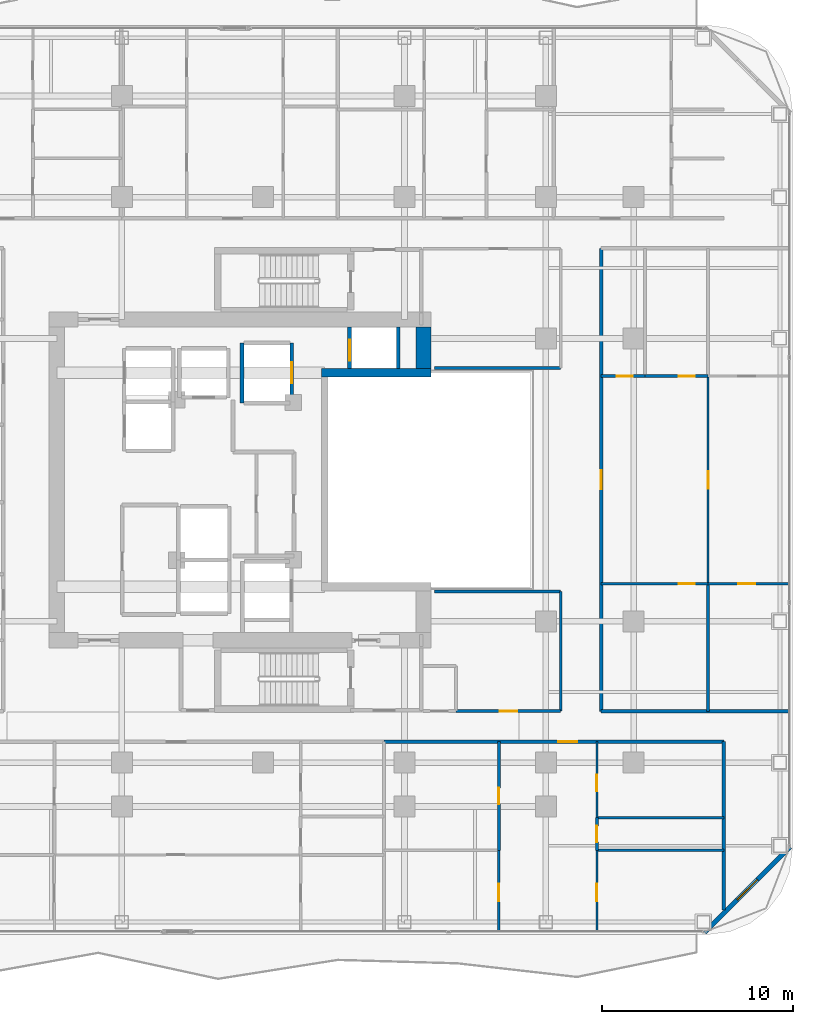
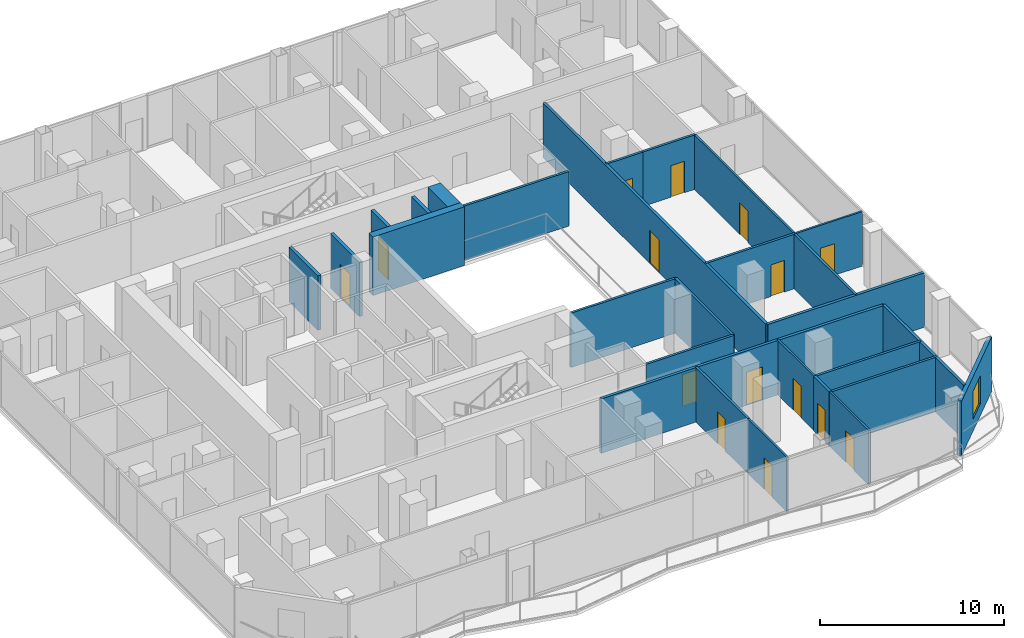
# One storey, part 22 of 27: 28 walls, 15 doors, 1 window, 16 openings.
"""IFC4 building model written with IfcOpenShell, lengths in metres."""

import ifcopenshell
import ifcopenshell.guid

model = None  # the IFC model being written
_history = None  # IfcOwnerHistory: only IFC2X3 demands one
_inside = {}  # id of a spatial element -> (the spatial element, [elements in it])
_under = {}  # id of a project, library or spatial element -> (it, [spatial elements below it])
_declared = {}  # id of a project -> (the project, [libraries it declares])
_typed = {}  # id of a type object -> (the type object, [elements of that type])
_made_of = {}  # id of a material, layer set ... -> (it, [elements and type objects made of it])


def new_model(schema):
    """Start an empty IFC model of exactly this schema.

    Asked for "IFC4X3", IfcOpenShell would pick the latest addendum, in which some entities
    have other attributes; the version numbers below select the first issue.
    IFC2X3 requires an IfcOwnerHistory on every rooted entity: one is made here for all.
    """
    global model, _history
    if schema == "IFC4X3":
        model = ifcopenshell.file(schema_version=(4, 3, 0, 0))
    else:
        model = ifcopenshell.file(schema=schema)
    _inside.clear()
    _under.clear()
    _declared.clear()
    _typed.clear()
    _made_of.clear()
    _history = None
    if model.schema == "IFC2X3":
        org = make("IfcOrganization", Name="unknown")
        user = make(
            "IfcPersonAndOrganization",
            ThePerson=make("IfcPerson", FamilyName="unknown"),
            TheOrganization=org,
        )
        app = make(
            "IfcApplication",
            ApplicationDeveloper=org,
            Version="unknown",
            ApplicationFullName="unknown",
            ApplicationIdentifier="unknown",
        )
        _history = make(
            "IfcOwnerHistory",
            OwningUser=user,
            OwningApplication=app,
            ChangeAction="ADDED",
            CreationDate=0,
        )
    return model


def make(cls, **values):
    """One entity of the class cls with the attributes given. An attribute that is None is left unset."""
    return model.create_entity(
        cls, **{name: value for name, value in values.items() if value is not None}
    )


def rooted(cls, **values):
    """An entity with a GlobalId (a new one), such as an element, a storey or a relation."""
    return make(cls, GlobalId=ifcopenshell.guid.new(), OwnerHistory=_history, **values)


def si_unit(unit_type, name, prefix=None):
    """IfcSIUnit, for example si_unit("LENGTHUNIT", "METRE", prefix="MILLI")."""
    return make("IfcSIUnit", UnitType=unit_type, Prefix=prefix, Name=name)


def assignment(units):
    """IfcUnitAssignment: the units of a project."""
    return None if units is None else make("IfcUnitAssignment", Units=units)


def point(xyz):
    """IfcCartesianPoint."""
    return None if xyz is None else make("IfcCartesianPoint", Coordinates=xyz)


def direction(xyz):
    """IfcDirection."""
    return None if xyz is None else make("IfcDirection", DirectionRatios=xyz)


def frame(location, z_axis=None, x_axis=None):
    """IfcAxis2Placement3D, a coordinate frame: its origin and axes. An axis left out is left unset."""
    return make(
        "IfcAxis2Placement3D",
        Location=point(location),
        Axis=direction(z_axis),
        RefDirection=direction(x_axis),
    )


def frame_2d(location, x_axis=None):
    """IfcAxis2Placement2D, a coordinate frame in the plane: its origin and x axis."""
    return make(
        "IfcAxis2Placement2D", Location=point(location), RefDirection=direction(x_axis)
    )


def origin():
    """The frame at (0, 0, 0) with its axes left unset."""
    return frame((0.0, 0.0, 0.0))


def place(relative_to, where):
    """IfcLocalPlacement: puts the frame where relative to a parent placement (None: the world)."""
    return make(
        "IfcLocalPlacement", PlacementRelTo=relative_to, RelativePlacement=where
    )


def context(
    kind, dimensions, precision=None, world=None, true_north=None, identifier=None
):
    """IfcGeometricRepresentationContext, for example the 3D "Model" context."""
    return make(
        "IfcGeometricRepresentationContext",
        ContextIdentifier=identifier,
        ContextType=kind,
        CoordinateSpaceDimension=dimensions,
        Precision=precision,
        WorldCoordinateSystem=world,
        TrueNorth=true_north,
    )


def subcontext(parent, identifier, kind, view, scale=None):
    """IfcGeometricRepresentationSubContext, for example "Body" below "Model"."""
    return make(
        "IfcGeometricRepresentationSubContext",
        ContextIdentifier=identifier,
        ContextType=kind,
        ParentContext=parent,
        TargetScale=scale,
        TargetView=view,
    )


def project(units=None, contexts=None):
    """IfcProject with its units and contexts."""
    return rooted(
        "IfcProject",
        Name="project",
        RepresentationContexts=contexts,
        UnitsInContext=assignment(units),
    )


def spatial(cls, under=None, at=None, **own):
    """A site, building, storey or space (cls), placed at a placement, below another one or the project."""
    s = rooted(cls, ObjectPlacement=at, **own)
    if under is not None:
        _under.setdefault(under.id(), (under, []))[1].append(s)
    return s


def profile(cls, at=None, kind="AREA", **sizes):
    """A parametric profile (cls). Its sizes go by their IFC names, for example OverallWidth=200.0."""
    return make(cls, ProfileType=kind, Position=at, **sizes)


def rectangle(**sizes):
    """IfcRectangleProfileDef."""
    return profile("IfcRectangleProfileDef", **sizes)


def extrude(swept, where, along, depth):
    """IfcExtrudedAreaSolid: the profile swept, set in the frame where, extruded along a direction by depth."""
    return make(
        "IfcExtrudedAreaSolid",
        SweptArea=swept,
        Position=where,
        ExtrudedDirection=direction(along),
        Depth=depth,
    )


def shape(context_of_items, identifier, shape_type, items):
    """IfcShapeRepresentation: the items that make up one representation, for example the "Body"."""
    return make(
        "IfcShapeRepresentation",
        ContextOfItems=context_of_items,
        RepresentationIdentifier=identifier,
        RepresentationType=shape_type,
        Items=items,
    )


def material(Name=None, Category=None):
    """IfcMaterial."""
    return make("IfcMaterial", Name=Name, Category=Category)


def layer(
    of_material, thickness, ventilated=None, Name=None, Category=None, Priority=None
):
    """IfcMaterialLayer: one layer of a wall or slab, of a material (None: an air gap)."""
    return make(
        "IfcMaterialLayer",
        Material=of_material,
        LayerThickness=thickness,
        IsVentilated=ventilated,
        Name=Name,
        Category=Category,
        Priority=Priority,
    )


def layer_set(layers, Name=None):
    """IfcMaterialLayerSet."""
    return make("IfcMaterialLayerSet", MaterialLayers=layers, LayerSetName=Name)


def made_of(thing, what):
    """Note that an element or type object is made of a material, layer set ...; save() writes the relation."""
    if what is not None:
        _made_of.setdefault(what.id(), (what, []))[1].append(thing)
    return thing


def type_object(cls, material=None, **own):
    """A type object (cls), such as IfcWallType, which elements share."""
    return made_of(rooted(cls, **own), material)


def element(
    cls,
    number,
    at=None,
    inside=None,
    cuts=None,
    type_object=None,
    material=None,
    context=None,
    identifier="Body",
    shape_type=None,
    held_by="IfcProductDefinitionShape",
    body=None,
    shapes=None,
    **own,
):
    """One element of the class cls, such as IfcWall. Its Tag is "e" and its number.

    at: its placement. inside: the storey or other place that contains it. cuts: it is an
    opening in that element (IfcRelVoidsElement). A single representation is given by context,
    identifier, shape_type and body (its items); several are given by shapes. held_by: the class
    of the entity that holds the representations. save() writes the other relations.
    """
    e = rooted(cls, Tag="e%d" % number, ObjectPlacement=at, **own)
    if body is not None:
        shapes = [shape(context, identifier, shape_type, body)]
    if shapes is not None:
        e.Representation = make(held_by, Representations=shapes)
    if inside is not None:
        _inside.setdefault(inside.id(), (inside, []))[1].append(e)
    if cuts is not None:
        rooted(
            "IfcRelVoidsElement", RelatingBuildingElement=cuts, RelatedOpeningElement=e
        )
    if type_object is not None:
        _typed.setdefault(type_object.id(), (type_object, []))[1].append(e)
    return made_of(e, material)


def fill(opening, filler):
    """IfcRelFillsElement: the door or window that sits in an opening."""
    return rooted(
        "IfcRelFillsElement",
        RelatingOpeningElement=opening,
        RelatedBuildingElement=filler,
    )


def aggregate(whole, parts):
    """IfcRelAggregates: a whole, such as a stair, and the parts it consists of."""
    return rooted("IfcRelAggregates", RelatingObject=whole, RelatedObjects=parts)


def save(model, path):
    """Write the relations noted so far, then the file.

    IfcRelAggregates (storeys below a building ...), IfcRelContainedInSpatialStructure (elements
    in a storey), IfcRelDefinesByType, IfcRelAssociatesMaterial and IfcRelDeclares: one each for
    every whole, place, type object, material and project.
    """
    for whole, parts in _under.values():
        aggregate(whole, parts)
    for where, things in _inside.values():
        rooted(
            "IfcRelContainedInSpatialStructure",
            RelatedElements=things,
            RelatingStructure=where,
        )
    for kind, things in _typed.values():
        rooted("IfcRelDefinesByType", RelatedObjects=things, RelatingType=kind)
    for what, things in _made_of.values():
        rooted("IfcRelAssociatesMaterial", RelatedObjects=things, RelatingMaterial=what)
    for by, libraries in _declared.values():
        rooted("IfcRelDeclares", RelatingContext=by, RelatedDefinitions=libraries)
    model.write(path)


model = new_model("IFC4")

# Units and contexts
model_context = context("Model", 3, precision=1e-05, world=origin(), true_north=direction((0.0, 1.0)))
body_context = subcontext(model_context, "Body", "Model", "MODEL_VIEW")
ifc_project = project(units=[si_unit("LENGTHUNIT", "METRE"), si_unit("AREAUNIT", "SQUARE_METRE"), si_unit("VOLUMEUNIT", "CUBIC_METRE"), si_unit("PLANEANGLEUNIT", "RADIAN"), si_unit("MASSUNIT", "GRAM", prefix="KILO")], contexts=[model_context])

# Site, building, storey
site_placement = place(None, origin())
site = spatial("IfcSite", under=ifc_project, at=site_placement, CompositionType="ELEMENT")
building_placement = place(site_placement, origin())
building = spatial("IfcBuilding", under=site, at=building_placement, Name="Khorvyn Point Tower", CompositionType="ELEMENT")
storey_placement = place(building_placement, frame((0.0, 0.0, 164.10009765625)))
storey = spatial("IfcBuildingStorey", under=building, at=storey_placement, Name="L40", CompositionType="ELEMENT", Elevation=164.10009765625)

# Wall, opening, door
ifc_material_1 = material(Name="Double acoustic gypsum on twin steel stud", Category="steel")
ifc_layer_1 = layer(ifc_material_1, 0.179931640625)
ifc_layer_set_1 = layer_set([ifc_layer_1], Name="Acoustic Double-Stud Apartment Demising Wall 180")
wall_type_1 = type_object("IfcWallType", Name="Acoustic Double-Stud Apartment Demising Wall 180", PredefinedType="PARTITIONING", material=ifc_layer_set_1)
wall_1_placement = place(storey_placement, frame((6.325927734375, -13.699951171875, 0.0), z_axis=(0.0, 0.0, 1.0), x_axis=(1.0, 0.0, 0.0)))
wall_1 = element("IfcWall", 1, at=wall_1_placement, inside=storey, type_object=wall_type_1, Name="Wall", PredefinedType="PARTITIONING", context=body_context, shape_type="SweptSolid", body=[
    extrude(rectangle(XDim=17.794189453125, YDim=0.179931640625, at=frame_2d((8.89697265625, 0.0))), origin(), (0.0, 0.0, 1.0), 3.619873046875),
])
opening_1_placement = place(wall_1_placement, frame((9.11328125, 0.0, 0.0)))
opening_1 = element("IfcOpeningElement", 2, at=opening_1_placement, cuts=wall_1, Name="Opening ID-AP60", PredefinedType="OPENING", context=body_context, shape_type="SweptSolid", body=[
    extrude(rectangle(XDim=1.0, YDim=2.199951171875, at=frame_2d((0.5, 1.10009765625))), frame((0.0, 0.099853515625, 0.0), z_axis=(0.0, -1.0, 0.0), x_axis=(1.0, 0.0, 0.0)), (0.0, 0.0, 1.0), 0.199951171875),
])
ifc_material_2 = material(Name="Engineered hardwood fire-rated leaf", Category="wood")
door_type_1 = type_object("IfcDoorType", Name="Acoustic Solid-Core Timber Apartment Entrance Door 1000x2200", OperationType="NOTDEFINED", PredefinedType="DOOR", material=ifc_material_2)
door_1_placement = place(opening_1_placement, origin())
door_1 = element("IfcDoor", 3, at=door_1_placement, inside=storey, type_object=door_type_1, Name="Door", OperationType="SINGLE_SWING_RIGHT", OverallHeight=2.199951171875, OverallWidth=1.0, PredefinedType="DOOR", context=body_context, shape_type="SweptSolid", body=[
    extrude(rectangle(XDim=1.0, YDim=2.199951171875, at=frame_2d((0.5, 1.10009765625))), frame((0.0, 0.02490234375, 0.0), z_axis=(0.0, -1.0, 0.0), x_axis=(1.0, 0.0, 0.0)), (0.0, 0.0, 1.0), 0.050048828125),
])
fill(opening_1, door_1)

wall_2_placement = place(storey_placement, frame((17.699951171875, -12.1201171875, 0.0), z_axis=(0.0, 0.0, 1.0), x_axis=(0.0, 1.0, 0.0)))
wall_2 = element("IfcWall", 4, at=wall_2_placement, inside=storey, type_object=wall_type_1, Name="Wall", PredefinedType="PARTITIONING", context=body_context, shape_type="SweptSolid", body=[
    extrude(rectangle(XDim=24.240234375, YDim=0.179931640625, at=frame_2d((12.1201171875, 0.0))), origin(), (0.0, 0.0, 1.0), 3.619873046875),
])
opening_2_placement = place(wall_2_placement, frame((11.6201171875, 0.0, 0.0)))
opening_2 = element("IfcOpeningElement", 5, at=opening_2_placement, cuts=wall_2, Name="Opening ID-AP60", PredefinedType="OPENING", context=body_context, shape_type="SweptSolid", body=[
    extrude(rectangle(XDim=1.0, YDim=2.199951171875, at=frame_2d((0.5, 1.10009765625))), frame((0.0, 0.099853515625, 0.0), z_axis=(0.0, -1.0, 0.0), x_axis=(1.0, 0.0, 0.0)), (0.0, 0.0, 1.0), 0.199951171875),
])
door_2_placement = place(opening_2_placement, origin())
door_2 = element("IfcDoor", 6, at=door_2_placement, inside=storey, type_object=door_type_1, Name="Door", OperationType="SINGLE_SWING_RIGHT", OverallHeight=2.199951171875, OverallWidth=1.0, PredefinedType="DOOR", context=body_context, shape_type="SweptSolid", body=[
    extrude(rectangle(XDim=1.0, YDim=2.199951171875, at=frame_2d((0.5, 1.10009765625))), frame((0.0, 0.02490234375, 0.0), z_axis=(0.0, -1.0, 0.0), x_axis=(1.0, 0.0, 0.0)), (0.0, 0.0, 1.0), 0.050048828125),
])
fill(opening_2, door_2)

# Walls
wall_3_placement = place(storey_placement, frame((24.1201171875, -22.510009765625, 0.0), z_axis=(0.0, 0.0, 1.0), x_axis=(0.0, 1.0, 0.0)))
element("IfcWall", 7, at=wall_3_placement, inside=storey, type_object=wall_type_1, Name="Wall", PredefinedType="PARTITIONING", context=body_context, shape_type="SweptSolid", body=[
    extrude(rectangle(XDim=8.81005859375, YDim=0.179931640625, at=frame_2d((4.405029296875, 0.0))), origin(), (0.0, 0.0, 1.0), 3.619873046875),
])
wall_4_placement = place(storey_placement, frame((17.699951171875, -12.1201171875, 0.0), z_axis=(0.0, 0.0, 1.0), x_axis=(1.0, 0.0, 0.0)))
element("IfcWall", 8, at=wall_4_placement, inside=storey, type_object=wall_type_1, Name="Wall", PredefinedType="PARTITIONING", context=body_context, shape_type="SweptSolid", body=[
    extrude(rectangle(XDim=9.830078125, YDim=0.179931640625, at=frame_2d((4.9150390625, 0.0))), origin(), (0.0, 0.0, 1.0), 3.619873046875),
])

# Wall, opening, window
ifc_material_3 = material(Name="Pale anodised aluminium rainscreen on steel stud", Category="steel")
ifc_layer_2 = layer(ifc_material_3, 0.239990234375)
ifc_layer_set_2 = layer_set([ifc_layer_2], Name="Anodised Aluminium Insulated Corner Spandrel Wall 240")
wall_type_2 = type_object("IfcWallType", Name="Anodised Aluminium Insulated Corner Spandrel Wall 240", PredefinedType="SOLIDWALL", material=ifc_layer_set_2)
wall_5_placement = place(storey_placement, frame((27.59228515625, -19.20751953125, 0.0), z_axis=(0.0, 0.0, 1.0), x_axis=(-0.707087534163, -0.707126027686, 0.0)))
wall_5 = element("IfcWall", 9, at=wall_5_placement, inside=storey, type_object=wall_type_2, Name="L40 Rounded Corner Wall SE", PredefinedType="SOLIDWALL", context=body_context, shape_type="SweptSolid", body=[
    extrude(rectangle(XDim=6.34228515625, YDim=0.239990234375, at=frame_2d((3.171142578125, 0.0))), origin(), (0.0, 0.0, 1.0), 3.619873046875),
])
opening_3_placement = place(wall_5_placement, frame((2.42138671875, 0.0, 0.800048828125)))
opening_3 = element("IfcOpeningElement", 10, at=opening_3_placement, cuts=wall_5, Name="Opening WN-1518", PredefinedType="OPENING", context=body_context, shape_type="SweptSolid", body=[
    extrude(rectangle(XDim=1.5, YDim=1.85009765625, at=frame_2d((0.75, 0.925048828125))), frame((0.0, 0.1298828125, 0.0), z_axis=(0.0, -1.0, 0.0), x_axis=(1.0, 0.0, 0.0)), (0.0, 0.0, 1.0), 0.260009765625),
])
ifc_material_4 = material(Name="Anodised aluminium 6063-T6 and laminated Low-E glass", Category="aluminium")
window_type = type_object("IfcWindowType", Name="Anodised Aluminium Rounded-Corner Panoramic Window 1500x1850", PartitioningType="SINGLE_PANEL", PredefinedType="WINDOW", material=ifc_material_4)
window_placement = place(opening_3_placement, origin())
window = element("IfcWindow", 11, at=window_placement, inside=storey, type_object=window_type, Name="L40 Corner Panoramic Window SE", OverallHeight=1.85009765625, OverallWidth=1.5, PartitioningType="SINGLE_PANEL", PredefinedType="WINDOW", context=body_context, shape_type="SweptSolid", body=[
    extrude(rectangle(XDim=1.5, YDim=1.85009765625, at=frame_2d((0.75, 0.925048828125))), frame((0.0, 0.030029296875, 0.0), z_axis=(0.0, -1.0, 0.0), x_axis=(1.0, 0.0, 0.0)), (0.0, 0.0, 1.0), 0.06005859375),
])
fill(opening_3, window)

# Walls
ifc_material_5 = material(Name="Concrete C40/50", Category="concrete")
ifc_layer_3 = layer(ifc_material_5, 0.449951171875)
ifc_layer_set_3 = layer_set([ifc_layer_3], Name="Concrete C40/50 Core Shear Wall 450")
wall_type_3 = type_object("IfcWallType", Name="Concrete C40/50 Core Shear Wall 450", PredefinedType="SHEAR", material=ifc_layer_set_3)
wall_6_placement = place(storey_placement, frame((3.044921875, 5.60009765625, 0.0), z_axis=(0.0, 0.0, 1.0), x_axis=(1.0, 0.0, 0.0)))
element("IfcWall", 12, at=wall_6_placement, inside=storey, type_object=wall_type_3, Name="Wall", PredefinedType="SHEAR", context=body_context, shape_type="SweptSolid", body=[
    extrude(rectangle(XDim=5.755126953125, YDim=0.449951171875, at=frame_2d((2.87744140625, 0.0))), origin(), (0.0, 0.0, 1.0), 3.89990234375),
])
ifc_layer_4 = layer(ifc_material_5, 0.199951171875)
ifc_layer_set_4 = layer_set([ifc_layer_4], Name="Concrete C40/50 Structural Hoistway and Stair Shaft Wall 200")
wall_type_4 = type_object("IfcWallType", Name="Concrete C40/50 Structural Hoistway and Stair Shaft Wall 200", PredefinedType="SHEAR", material=ifc_layer_set_4)
wall_7_placement = place(storey_placement, frame((-1.10009765625, 4.02490234375, 0.0), z_axis=(0.0, 0.0, 1.0), x_axis=(0.0, 1.0, 0.0)))
element("IfcWall", 13, at=wall_7_placement, inside=storey, type_object=wall_type_4, Name="Wall", PredefinedType="SHEAR", context=body_context, shape_type="SweptSolid", body=[
    extrude(rectangle(XDim=3.150146484375, YDim=0.199951171875, at=frame_2d((1.5751953125, 0.0))), origin(), (0.0, 0.0, 1.0), 3.619873046875),
])

# Wall, opening, door
wall_8_placement = place(storey_placement, frame((1.5, 4.02490234375, 0.0), z_axis=(0.0, 0.0, 1.0), x_axis=(0.0, 1.0, 0.0)))
wall_8 = element("IfcWall", 14, at=wall_8_placement, inside=storey, type_object=wall_type_4, Name="Wall", PredefinedType="SHEAR", context=body_context, shape_type="SweptSolid", body=[
    extrude(rectangle(XDim=3.150146484375, YDim=0.199951171875, at=frame_2d((1.5751953125, 0.0))), origin(), (0.0, 0.0, 1.0), 3.619873046875),
])
opening_4_placement = place(wall_8_placement, frame((1.02490234375, 0.0, 0.0)))
opening_4 = element("IfcOpeningElement", 15, at=opening_4_placement, cuts=wall_8, Name="Opening LD-1122", PredefinedType="OPENING", context=body_context, shape_type="SweptSolid", body=[
    extrude(rectangle(XDim=1.10009765625, YDim=2.199951171875, at=frame_2d((0.550048828125, 1.10009765625))), frame((0.0, 0.10986328125, 0.0), z_axis=(0.0, -1.0, 0.0), x_axis=(1.0, 0.0, 0.0)), (0.0, 0.0, 1.0), 0.219970703125),
])
ifc_material_6 = material(Name="Stainless steel 1.4301", Category="steel")
door_type_2 = type_object("IfcDoorType", Name="Stainless Steel Automatic Sliding Lift Landing Door 1100x2200", OperationType="SLIDING_TO_LEFT", PredefinedType="DOOR", material=ifc_material_6)
door_3_placement = place(opening_4_placement, origin())
door_3 = element("IfcDoor", 16, at=door_3_placement, inside=storey, type_object=door_type_2, Name="L40 SV-01 Sliding Lift Landing Door", OperationType="SLIDING_TO_LEFT", OverallHeight=2.199951171875, OverallWidth=1.10009765625, PredefinedType="DOOR", context=body_context, shape_type="SweptSolid", body=[
    extrude(rectangle(XDim=1.10009765625, YDim=2.199951171875, at=frame_2d((0.550048828125, 1.10009765625))), frame((0.0, 0.02490234375, 0.0), z_axis=(0.0, -1.0, 0.0), x_axis=(1.0, 0.0, 0.0)), (0.0, 0.0, 1.0), 0.050048828125),
])
fill(opening_4, door_3)

wall_9_placement = place(storey_placement, frame((4.52490234375, 5.824951171875, 0.0), z_axis=(0.0, 0.0, 1.0), x_axis=(0.0, 1.0, 0.0)))
wall_9 = element("IfcWall", 17, at=wall_9_placement, inside=storey, type_object=wall_type_4, Name="Wall", PredefinedType="SHEAR", context=body_context, shape_type="SweptSolid", body=[
    extrude(rectangle(XDim=2.175048828125, YDim=0.199951171875, at=frame_2d((1.08740234375, 0.0))), origin(), (0.0, 0.0, 1.0), 3.619873046875),
])
opening_5_placement = place(wall_9_placement, frame((0.425048828125, 0.0, 0.0)))
opening_5 = element("IfcOpeningElement", 18, at=opening_5_placement, cuts=wall_9, Name="Opening LD-1122", PredefinedType="OPENING", context=body_context, shape_type="SweptSolid", body=[
    extrude(rectangle(XDim=1.10009765625, YDim=2.199951171875, at=frame_2d((0.550048828125, 1.10009765625))), frame((0.0, 0.10986328125, 0.0), z_axis=(0.0, -1.0, 0.0), x_axis=(1.0, 0.0, 0.0)), (0.0, 0.0, 1.0), 0.219970703125),
])
door_4_placement = place(opening_5_placement, origin())
door_4 = element("IfcDoor", 19, at=door_4_placement, inside=storey, type_object=door_type_2, Name="L40 FF-02 Sliding Lift Landing Door", OperationType="SLIDING_TO_LEFT", OverallHeight=2.199951171875, OverallWidth=1.10009765625, PredefinedType="DOOR", context=body_context, shape_type="SweptSolid", body=[
    extrude(rectangle(XDim=1.10009765625, YDim=2.199951171875, at=frame_2d((0.550048828125, 1.10009765625))), frame((0.0, 0.02490234375, 0.0), z_axis=(0.0, -1.0, 0.0), x_axis=(1.0, 0.0, 0.0)), (0.0, 0.0, 1.0), 0.050048828125),
])
fill(opening_5, door_4)

# Walls
wall_10_placement = place(storey_placement, frame((7.074951171875, 5.824951171875, 0.0), z_axis=(0.0, 0.0, 1.0), x_axis=(0.0, 1.0, 0.0)))
element("IfcWall", 20, at=wall_10_placement, inside=storey, type_object=wall_type_4, Name="Wall", PredefinedType="SHEAR", context=body_context, shape_type="SweptSolid", body=[
    extrude(rectangle(XDim=2.175048828125, YDim=0.199951171875, at=frame_2d((1.08740234375, 0.0))), origin(), (0.0, 0.0, 1.0), 3.619873046875),
])
ifc_material_7 = material(Name="Concrete C45/55", Category="concrete")
ifc_layer_5 = layer(ifc_material_7, 0.800048828125)
ifc_layer_set_5 = layer_set([ifc_layer_5], Name="Concrete C45/55 Core Shear Wall 800")
wall_type_5 = type_object("IfcWallType", Name="Concrete C45/55 Core Shear Wall 800", PredefinedType="SHEAR", material=ifc_layer_set_5)
wall_11_placement = place(storey_placement, frame((8.39990234375, 5.824951171875, 0.0), z_axis=(0.0, 0.0, 1.0), x_axis=(0.0, 1.0, 0.0)))
element("IfcWall", 21, at=wall_11_placement, inside=storey, type_object=wall_type_5, Name="Wall", PredefinedType="SHEAR", context=body_context, shape_type="SweptSolid", body=[
    extrude(rectangle(XDim=2.175048828125, YDim=0.800048828125, at=frame_2d((1.08740234375, 0.0))), origin(), (0.0, 0.0, 1.0), 3.89990234375),
])

# Wall, opening, door
ifc_material_8 = material(Name="Gypsum plasterboard on steel stud", Category="steel")
ifc_layer_6 = layer(ifc_material_8, 0.1201171875)
ifc_layer_set_6 = layer_set([ifc_layer_6], Name="Gypsum Acoustic Stud Room Partition Wall 120")
wall_type_6 = type_object("IfcWallType", Name="Gypsum Acoustic Stud Room Partition Wall 120", PredefinedType="PARTITIONING", material=ifc_layer_set_6)
wall_12_placement = place(storey_placement, frame((12.340087890625, -23.6298828125, 0.0), z_axis=(0.0, 0.0, 1.0), x_axis=(0.0, 1.0, 0.0)))
wall_12 = element("IfcWall", 22, at=wall_12_placement, inside=storey, type_object=wall_type_6, Name="Wall", PredefinedType="PARTITIONING", context=body_context, shape_type="SweptSolid", body=[
    extrude(rectangle(XDim=4.239990234375, YDim=0.1201171875, at=frame_2d((2.1201171875, 0.0))), origin(), (0.0, 0.0, 1.0), 3.619873046875),
])
opening_6_placement = place(wall_12_placement, frame((1.581298828125, 0.0, 0.0)))
opening_6 = element("IfcOpeningElement", 23, at=opening_6_placement, cuts=wall_12, Name="Opening ID-RM90", PredefinedType="OPENING", context=body_context, shape_type="SweptSolid", body=[
    extrude(rectangle(XDim=0.89990234375, YDim=2.10009765625, at=frame_2d((0.449951171875, 1.050048828125))), frame((0.0, 0.070068359375, 0.0), z_axis=(0.0, -1.0, 0.0), x_axis=(1.0, 0.0, 0.0)), (0.0, 0.0, 1.0), 0.14013671875),
])
ifc_material_9 = material(Name="Engineered oak veneer timber", Category="wood")
door_type_3 = type_object("IfcDoorType", Name="Flush Engineered Timber Room Door 900x2100", OperationType="NOTDEFINED", PredefinedType="DOOR", material=ifc_material_9)
door_5_placement = place(opening_6_placement, origin())
door_5 = element("IfcDoor", 24, at=door_5_placement, inside=storey, type_object=door_type_3, Name="Door", OperationType="SINGLE_SWING_RIGHT", OverallHeight=2.10009765625, OverallWidth=0.89990234375, PredefinedType="DOOR", context=body_context, shape_type="SweptSolid", body=[
    extrude(rectangle(XDim=0.89990234375, YDim=2.10009765625, at=frame_2d((0.449951171875, 1.050048828125))), frame((0.0, 0.02490234375, 0.0), z_axis=(0.0, -1.0, 0.0), x_axis=(1.0, 0.0, 0.0)), (0.0, 0.0, 1.0), 0.050048828125),
])
fill(opening_6, door_5)

wall_13_placement = place(storey_placement, frame((17.47607421875, -17.68310546875, 0.0), z_axis=(0.0, 0.0, 1.0), x_axis=(0.0, 1.0, 0.0)))
wall_13 = element("IfcWall", 25, at=wall_13_placement, inside=storey, type_object=wall_type_6, Name="Wall", PredefinedType="PARTITIONING", context=body_context, shape_type="SweptSolid", body=[
    extrude(rectangle(XDim=3.983154296875, YDim=0.1201171875, at=frame_2d((1.99169921875, 0.0))), origin(), (0.0, 0.0, 1.0), 3.619873046875),
])
opening_7_placement = place(wall_13_placement, frame((1.390625, 0.0, 0.0)))
opening_7 = element("IfcOpeningElement", 26, at=opening_7_placement, cuts=wall_13, Name="Opening ID-WC85", PredefinedType="OPENING", context=body_context, shape_type="SweptSolid", body=[
    extrude(rectangle(XDim=0.85009765625, YDim=2.10009765625, at=frame_2d((0.425048828125, 1.050048828125))), frame((0.0, 0.070068359375, 0.0), z_axis=(0.0, -1.0, 0.0), x_axis=(1.0, 0.0, 0.0)), (0.0, 0.0, 1.0), 0.14013671875),
])
ifc_material_10 = material(Name="High-pressure laminate on moisture-resistant core", Category="wood")
door_type_4 = type_object("IfcDoorType", Name="Moisture-Resistant Accessible Washroom Door 850x2100", OperationType="NOTDEFINED", PredefinedType="DOOR", material=ifc_material_10)
door_6_placement = place(opening_7_placement, origin())
door_6 = element("IfcDoor", 27, at=door_6_placement, inside=storey, type_object=door_type_4, Name="Door", OperationType="SINGLE_SWING_RIGHT", OverallHeight=2.10009765625, OverallWidth=0.85009765625, PredefinedType="DOOR", context=body_context, shape_type="SweptSolid", body=[
    extrude(rectangle(XDim=0.85009765625, YDim=2.10009765625, at=frame_2d((0.425048828125, 1.050048828125))), frame((0.0, 0.02490234375, 0.0), z_axis=(0.0, -1.0, 0.0), x_axis=(1.0, 0.0, 0.0)), (0.0, 0.0, 1.0), 0.050048828125),
])
fill(opening_7, door_6)

wall_14_placement = place(storey_placement, frame((17.47607421875, -23.6298828125, 0.0), z_axis=(0.0, 0.0, 1.0), x_axis=(0.0, 1.0, 0.0)))
wall_14 = element("IfcWall", 28, at=wall_14_placement, inside=storey, type_object=wall_type_6, Name="Wall", PredefinedType="PARTITIONING", context=body_context, shape_type="SweptSolid", body=[
    extrude(rectangle(XDim=4.239990234375, YDim=0.1201171875, at=frame_2d((2.1201171875, 0.0))), origin(), (0.0, 0.0, 1.0), 3.619873046875),
])
opening_8_placement = place(wall_14_placement, frame((1.581298828125, 0.0, 0.0)))
opening_8 = element("IfcOpeningElement", 29, at=opening_8_placement, cuts=wall_14, Name="Opening ID-RM90", PredefinedType="OPENING", context=body_context, shape_type="SweptSolid", body=[
    extrude(rectangle(XDim=0.89990234375, YDim=2.10009765625, at=frame_2d((0.449951171875, 1.050048828125))), frame((0.0, 0.070068359375, 0.0), z_axis=(0.0, -1.0, 0.0), x_axis=(1.0, 0.0, 0.0)), (0.0, 0.0, 1.0), 0.14013671875),
])
door_7_placement = place(opening_8_placement, origin())
door_7 = element("IfcDoor", 30, at=door_7_placement, inside=storey, type_object=door_type_3, Name="Door", OperationType="SINGLE_SWING_LEFT", OverallHeight=2.10009765625, OverallWidth=0.89990234375, PredefinedType="DOOR", context=body_context, shape_type="SweptSolid", body=[
    extrude(rectangle(XDim=0.89990234375, YDim=2.10009765625, at=frame_2d((0.449951171875, 1.050048828125))), frame((0.0, 0.02490234375, 0.0), z_axis=(0.0, -1.0, 0.0), x_axis=(1.0, 0.0, 0.0)), (0.0, 0.0, 1.0), 0.050048828125),
])
fill(opening_8, door_7)

wall_15_placement = place(storey_placement, frame((23.2900390625, -5.43603515625, 0.0), z_axis=(0.0, 0.0, 1.0), x_axis=(0.0, 1.0, 0.0)))
wall_15 = element("IfcWall", 31, at=wall_15_placement, inside=storey, type_object=wall_type_6, Name="Wall", PredefinedType="PARTITIONING", context=body_context, shape_type="SweptSolid", body=[
    extrude(rectangle(XDim=10.8720703125, YDim=0.1201171875, at=frame_2d((5.43603515625, 0.0))), origin(), (0.0, 0.0, 1.0), 3.619873046875),
])
opening_9_placement = place(wall_15_placement, frame((4.986083984375, 0.0, 0.0)))
opening_9 = element("IfcOpeningElement", 32, at=opening_9_placement, cuts=wall_15, Name="Opening ID-RM90", PredefinedType="OPENING", context=body_context, shape_type="SweptSolid", body=[
    extrude(rectangle(XDim=0.89990234375, YDim=2.10009765625, at=frame_2d((0.449951171875, 1.050048828125))), frame((0.0, 0.070068359375, 0.0), z_axis=(0.0, -1.0, 0.0), x_axis=(1.0, 0.0, 0.0)), (0.0, 0.0, 1.0), 0.14013671875),
])
door_8_placement = place(opening_9_placement, origin())
door_8 = element("IfcDoor", 33, at=door_8_placement, inside=storey, type_object=door_type_3, Name="Door", OperationType="SINGLE_SWING_LEFT", OverallHeight=2.10009765625, OverallWidth=0.89990234375, PredefinedType="DOOR", context=body_context, shape_type="SweptSolid", body=[
    extrude(rectangle(XDim=0.89990234375, YDim=2.10009765625, at=frame_2d((0.449951171875, 1.050048828125))), frame((0.0, 0.02490234375, 0.0), z_axis=(0.0, -1.0, 0.0), x_axis=(1.0, 0.0, 0.0)), (0.0, 0.0, 1.0), 0.050048828125),
])
fill(opening_9, door_8)

wall_16_placement = place(storey_placement, frame((23.2900390625, -5.43603515625, 0.0), z_axis=(0.0, 0.0, 1.0), x_axis=(1.0, 0.0, 0.0)))
wall_16 = element("IfcWall", 34, at=wall_16_placement, inside=storey, type_object=wall_type_6, Name="Wall", PredefinedType="PARTITIONING", context=body_context, shape_type="SweptSolid", body=[
    extrude(rectangle(XDim=4.239990234375, YDim=0.1201171875, at=frame_2d((2.1201171875, 0.0))), origin(), (0.0, 0.0, 1.0), 3.619873046875),
])
opening_10_placement = place(wall_16_placement, frame((1.581298828125, 0.0, 0.0)))
opening_10 = element("IfcOpeningElement", 35, at=opening_10_placement, cuts=wall_16, Name="Opening ID-RM90", PredefinedType="OPENING", context=body_context, shape_type="SweptSolid", body=[
    extrude(rectangle(XDim=0.89990234375, YDim=2.10009765625, at=frame_2d((0.449951171875, 1.050048828125))), frame((0.0, 0.070068359375, 0.0), z_axis=(0.0, -1.0, 0.0), x_axis=(1.0, 0.0, 0.0)), (0.0, 0.0, 1.0), 0.14013671875),
])
door_9_placement = place(opening_10_placement, origin())
door_9 = element("IfcDoor", 36, at=door_9_placement, inside=storey, type_object=door_type_3, Name="Door", OperationType="SINGLE_SWING_LEFT", OverallHeight=2.10009765625, OverallWidth=0.89990234375, PredefinedType="DOOR", context=body_context, shape_type="SweptSolid", body=[
    extrude(rectangle(XDim=0.89990234375, YDim=2.10009765625, at=frame_2d((0.449951171875, 1.050048828125))), frame((0.0, 0.02490234375, 0.0), z_axis=(0.0, -1.0, 0.0), x_axis=(1.0, 0.0, 0.0)), (0.0, 0.0, 1.0), 0.050048828125),
])
fill(opening_10, door_9)

ifc_material_11 = material(Name="Moisture-resistant gypsum and cement board", Category="gypsum")
ifc_layer_7 = layer(ifc_material_11, 0.14990234375)
ifc_layer_set_7 = layer_set([ifc_layer_7], Name="Moisture-Resistant Wet-Room Partition Wall 150")
wall_type_7 = type_object("IfcWallType", Name="Moisture-Resistant Wet-Room Partition Wall 150", PredefinedType="PARTITIONING", material=ifc_layer_set_7)
wall_17_placement = place(storey_placement, frame((10.10009765625, -12.10009765625, 0.0), z_axis=(0.0, 0.0, 1.0), x_axis=(1.0, 0.0, 0.0)))
wall_17 = element("IfcWall", 37, at=wall_17_placement, inside=storey, type_object=wall_type_7, Name="Wall", PredefinedType="PARTITIONING", context=body_context, shape_type="SweptSolid", body=[
    extrude(rectangle(XDim=5.47998046875, YDim=0.14990234375, at=frame_2d((2.739990234375, 0.0))), origin(), (0.0, 0.0, 1.0), 3.619873046875),
])
opening_11_placement = place(wall_17_placement, frame((2.2900390625, 0.0, 0.0)))
opening_11 = element("IfcOpeningElement", 38, at=opening_11_placement, cuts=wall_17, Name="Opening ID-RM90", PredefinedType="OPENING", context=body_context, shape_type="SweptSolid", body=[
    extrude(rectangle(XDim=0.89990234375, YDim=2.10009765625, at=frame_2d((0.449951171875, 1.050048828125))), frame((0.0, 0.0849609375, 0.0), z_axis=(0.0, -1.0, 0.0), x_axis=(1.0, 0.0, 0.0)), (0.0, 0.0, 1.0), 0.169921875),
])
door_10_placement = place(opening_11_placement, origin())
door_10 = element("IfcDoor", 39, at=door_10_placement, inside=storey, type_object=door_type_3, Name="Door", OperationType="SINGLE_SWING_LEFT", OverallHeight=2.10009765625, OverallWidth=0.89990234375, PredefinedType="DOOR", context=body_context, shape_type="SweptSolid", body=[
    extrude(rectangle(XDim=0.89990234375, YDim=2.10009765625, at=frame_2d((0.449951171875, 1.050048828125))), frame((0.0, 0.02490234375, 0.0), z_axis=(0.0, -1.0, 0.0), x_axis=(1.0, 0.0, 0.0)), (0.0, 0.0, 1.0), 0.050048828125),
])
fill(opening_11, door_10)

wall_18_placement = place(storey_placement, frame((12.340087890625, -19.389892578125, 0.0), z_axis=(0.0, 0.0, 1.0), x_axis=(0.0, 1.0, 0.0)))
wall_18 = element("IfcWall", 40, at=wall_18_placement, inside=storey, type_object=wall_type_7, Name="Wall", PredefinedType="PARTITIONING", context=body_context, shape_type="SweptSolid", body=[
    extrude(rectangle(XDim=5.68994140625, YDim=0.14990234375, at=frame_2d((2.844970703125, 0.0))), origin(), (0.0, 0.0, 1.0), 3.619873046875),
])
opening_12_placement = place(wall_18_placement, frame((2.419921875, 0.0, 0.0)))
opening_12 = element("IfcOpeningElement", 41, at=opening_12_placement, cuts=wall_18, Name="Opening ID-WC85", PredefinedType="OPENING", context=body_context, shape_type="SweptSolid", body=[
    extrude(rectangle(XDim=0.85009765625, YDim=2.10009765625, at=frame_2d((0.425048828125, 1.050048828125))), frame((0.0, 0.0849609375, 0.0), z_axis=(0.0, -1.0, 0.0), x_axis=(1.0, 0.0, 0.0)), (0.0, 0.0, 1.0), 0.169921875),
])
door_11_placement = place(opening_12_placement, origin())
door_11 = element("IfcDoor", 42, at=door_11_placement, inside=storey, type_object=door_type_4, Name="Door", OperationType="SINGLE_SWING_LEFT", OverallHeight=2.10009765625, OverallWidth=0.85009765625, PredefinedType="DOOR", context=body_context, shape_type="SweptSolid", body=[
    extrude(rectangle(XDim=0.85009765625, YDim=2.10009765625, at=frame_2d((0.425048828125, 1.050048828125))), frame((0.0, 0.02490234375, 0.0), z_axis=(0.0, -1.0, 0.0), x_axis=(1.0, 0.0, 0.0)), (0.0, 0.0, 1.0), 0.050048828125),
])
fill(opening_12, door_11)

wall_19_placement = place(storey_placement, frame((17.47607421875, -19.389892578125, 0.0), z_axis=(0.0, 0.0, 1.0), x_axis=(0.0, 1.0, 0.0)))
wall_19 = element("IfcWall", 43, at=wall_19_placement, inside=storey, type_object=wall_type_7, Name="Wall", PredefinedType="PARTITIONING", context=body_context, shape_type="SweptSolid", body=[
    extrude(rectangle(XDim=1.706787109375, YDim=0.14990234375, at=frame_2d((0.853515625, 0.0))), origin(), (0.0, 0.0, 1.0), 3.619873046875),
])
opening_13_placement = place(wall_19_placement, frame((0.428466796875, 0.0, 0.0)))
opening_13 = element("IfcOpeningElement", 44, at=opening_13_placement, cuts=wall_19, Name="Opening ID-WC85", PredefinedType="OPENING", context=body_context, shape_type="SweptSolid", body=[
    extrude(rectangle(XDim=0.85009765625, YDim=2.10009765625, at=frame_2d((0.425048828125, 1.050048828125))), frame((0.0, 0.0849609375, 0.0), z_axis=(0.0, -1.0, 0.0), x_axis=(1.0, 0.0, 0.0)), (0.0, 0.0, 1.0), 0.169921875),
])
door_12_placement = place(opening_13_placement, origin())
door_12 = element("IfcDoor", 45, at=door_12_placement, inside=storey, type_object=door_type_4, Name="Door", OperationType="SINGLE_SWING_LEFT", OverallHeight=2.10009765625, OverallWidth=0.85009765625, PredefinedType="DOOR", context=body_context, shape_type="SweptSolid", body=[
    extrude(rectangle(XDim=0.85009765625, YDim=2.10009765625, at=frame_2d((0.425048828125, 1.050048828125))), frame((0.0, 0.02490234375, 0.0), z_axis=(0.0, -1.0, 0.0), x_axis=(1.0, 0.0, 0.0)), (0.0, 0.0, 1.0), 0.050048828125),
])
fill(opening_13, door_12)

wall_20_placement = place(storey_placement, frame((17.699951171875, 5.43603515625, 0.0), z_axis=(0.0, 0.0, 1.0), x_axis=(1.0, 0.0, 0.0)))
wall_20 = element("IfcWall", 46, at=wall_20_placement, inside=storey, type_object=wall_type_7, Name="Wall", PredefinedType="PARTITIONING", context=body_context, shape_type="SweptSolid", body=[
    extrude(rectangle(XDim=2.2919921875, YDim=0.14990234375, at=frame_2d((1.14599609375, 0.0))), origin(), (0.0, 0.0, 1.0), 3.619873046875),
])
opening_14_placement = place(wall_20_placement, frame((0.801025390625, 0.0, 0.0)))
opening_14 = element("IfcOpeningElement", 47, at=opening_14_placement, cuts=wall_20, Name="Opening ID-WC85", PredefinedType="OPENING", context=body_context, shape_type="SweptSolid", body=[
    extrude(rectangle(XDim=0.85009765625, YDim=2.10009765625, at=frame_2d((0.425048828125, 1.050048828125))), frame((0.0, 0.0849609375, 0.0), z_axis=(0.0, -1.0, 0.0), x_axis=(1.0, 0.0, 0.0)), (0.0, 0.0, 1.0), 0.169921875),
])
door_13_placement = place(opening_14_placement, origin())
door_13 = element("IfcDoor", 48, at=door_13_placement, inside=storey, type_object=door_type_4, Name="Door", OperationType="SINGLE_SWING_RIGHT", OverallHeight=2.10009765625, OverallWidth=0.85009765625, PredefinedType="DOOR", context=body_context, shape_type="SweptSolid", body=[
    extrude(rectangle(XDim=0.85009765625, YDim=2.10009765625, at=frame_2d((0.425048828125, 1.050048828125))), frame((0.0, 0.02490234375, 0.0), z_axis=(0.0, -1.0, 0.0), x_axis=(1.0, 0.0, 0.0)), (0.0, 0.0, 1.0), 0.050048828125),
])
fill(opening_14, door_13)

wall_21_placement = place(storey_placement, frame((19.991943359375, 5.43603515625, 0.0), z_axis=(0.0, 0.0, 1.0), x_axis=(1.0, 0.0, 0.0)))
wall_21 = element("IfcWall", 49, at=wall_21_placement, inside=storey, type_object=wall_type_7, Name="Wall", PredefinedType="PARTITIONING", context=body_context, shape_type="SweptSolid", body=[
    extrude(rectangle(XDim=3.298095703125, YDim=0.14990234375, at=frame_2d((1.64892578125, 0.0))), origin(), (0.0, 0.0, 1.0), 3.619873046875),
])
opening_15_placement = place(wall_21_placement, frame((1.756103515625, 0.0, 0.0)))
opening_15 = element("IfcOpeningElement", 50, at=opening_15_placement, cuts=wall_21, Name="Opening ID-WC85", PredefinedType="OPENING", context=body_context, shape_type="SweptSolid", body=[
    extrude(rectangle(XDim=0.85009765625, YDim=2.10009765625, at=frame_2d((0.425048828125, 1.050048828125))), frame((0.0, 0.0849609375, 0.0), z_axis=(0.0, -1.0, 0.0), x_axis=(1.0, 0.0, 0.0)), (0.0, 0.0, 1.0), 0.169921875),
])
door_14_placement = place(opening_15_placement, origin())
door_14 = element("IfcDoor", 51, at=door_14_placement, inside=storey, type_object=door_type_4, Name="Door", OperationType="SINGLE_SWING_LEFT", OverallHeight=2.10009765625, OverallWidth=0.85009765625, PredefinedType="DOOR", context=body_context, shape_type="SweptSolid", body=[
    extrude(rectangle(XDim=0.85009765625, YDim=2.10009765625, at=frame_2d((0.425048828125, 1.050048828125))), frame((0.0, 0.02490234375, 0.0), z_axis=(0.0, -1.0, 0.0), x_axis=(1.0, 0.0, 0.0)), (0.0, 0.0, 1.0), 0.050048828125),
])
fill(opening_15, door_14)

wall_22_placement = place(storey_placement, frame((17.699951171875, -5.43603515625, 0.0), z_axis=(0.0, 0.0, 1.0), x_axis=(1.0, 0.0, 0.0)))
wall_22 = element("IfcWall", 52, at=wall_22_placement, inside=storey, type_object=wall_type_7, Name="Wall", PredefinedType="PARTITIONING", context=body_context, shape_type="SweptSolid", body=[
    extrude(rectangle(XDim=5.590087890625, YDim=0.14990234375, at=frame_2d((2.794921875, 0.0))), origin(), (0.0, 0.0, 1.0), 3.619873046875),
])
opening_16_placement = place(wall_22_placement, frame((4.049560546875, 0.0, 0.0)))
opening_16 = element("IfcOpeningElement", 53, at=opening_16_placement, cuts=wall_22, Name="Opening ID-WC85", PredefinedType="OPENING", context=body_context, shape_type="SweptSolid", body=[
    extrude(rectangle(XDim=0.85009765625, YDim=2.10009765625, at=frame_2d((0.425048828125, 1.050048828125))), frame((0.0, 0.0849609375, 0.0), z_axis=(0.0, -1.0, 0.0), x_axis=(1.0, 0.0, 0.0)), (0.0, 0.0, 1.0), 0.169921875),
])
door_15_placement = place(opening_16_placement, origin())
door_15 = element("IfcDoor", 54, at=door_15_placement, inside=storey, type_object=door_type_4, Name="Door", OperationType="SINGLE_SWING_RIGHT", OverallHeight=2.10009765625, OverallWidth=0.85009765625, PredefinedType="DOOR", context=body_context, shape_type="SweptSolid", body=[
    extrude(rectangle(XDim=0.85009765625, YDim=2.10009765625, at=frame_2d((0.425048828125, 1.050048828125))), frame((0.0, 0.02490234375, 0.0), z_axis=(0.0, -1.0, 0.0), x_axis=(1.0, 0.0, 0.0)), (0.0, 0.0, 1.0), 0.050048828125),
])
fill(opening_16, door_15)

# Walls
wall_23_placement = place(storey_placement, frame((15.580078125, -12.10009765625, 0.0), z_axis=(0.0, 0.0, 1.0), x_axis=(0.0, 1.0, 0.0)))
element("IfcWall", 55, at=wall_23_placement, inside=storey, type_object=wall_type_7, Name="Wall", PredefinedType="PARTITIONING", context=body_context, shape_type="SweptSolid", body=[
    extrude(rectangle(XDim=6.25, YDim=0.14990234375, at=frame_2d((3.125, 0.0))), origin(), (0.0, 0.0, 1.0), 3.619873046875),
])
for number, where, z_axis, x_axis, name in (
    (56, (8.9599609375, -5.85009765625, 0.0), (0.0, 0.0, 1.0), (1.0, 0.0, 0.0), "Wall"),
    (57, (8.9599609375, 5.85009765625, 0.0), (0.0, 0.0, 1.0), (1.0, 0.0, 0.0), "Wall"),
):
    element("IfcWall", number, at=place(storey_placement, frame(where, z_axis=z_axis, x_axis=x_axis)), inside=storey, type_object=wall_type_7, Name=name, PredefinedType="PARTITIONING", context=body_context, shape_type="SweptSolid", body=[
        extrude(rectangle(XDim=6.6201171875, YDim=0.14990234375, at=frame_2d((3.31005859375, 0.0))), origin(), (0.0, 0.0, 1.0), 3.619873046875),
    ])
for number, where, z_axis, x_axis, name in (
    (58, (17.47607421875, -17.68310546875, 0.0), (0.0, 0.0, 1.0), (1.0, 0.0, 0.0), "Wall"),
    (59, (17.47607421875, -19.389892578125, 0.0), (0.0, 0.0, 1.0), (1.0, 0.0, 0.0), "Wall"),
):
    element("IfcWall", number, at=place(storey_placement, frame(where, z_axis=z_axis, x_axis=x_axis)), inside=storey, type_object=wall_type_7, Name=name, PredefinedType="PARTITIONING", context=body_context, shape_type="SweptSolid", body=[
        extrude(rectangle(XDim=6.64404296875, YDim=0.14990234375, at=frame_2d((3.322021484375, 0.0))), origin(), (0.0, 0.0, 1.0), 3.619873046875),
    ])
wall_24_placement = place(storey_placement, frame((23.2900390625, -12.1201171875, 0.0), z_axis=(0.0, 0.0, 1.0), x_axis=(0.0, 1.0, 0.0)))
element("IfcWall", 60, at=wall_24_placement, inside=storey, type_object=wall_type_7, Name="Wall", PredefinedType="PARTITIONING", context=body_context, shape_type="SweptSolid", body=[
    extrude(rectangle(XDim=6.68408203125, YDim=0.14990234375, at=frame_2d((3.342041015625, 0.0))), origin(), (0.0, 0.0, 1.0), 3.619873046875),
])

save(model, "model.ifc")
